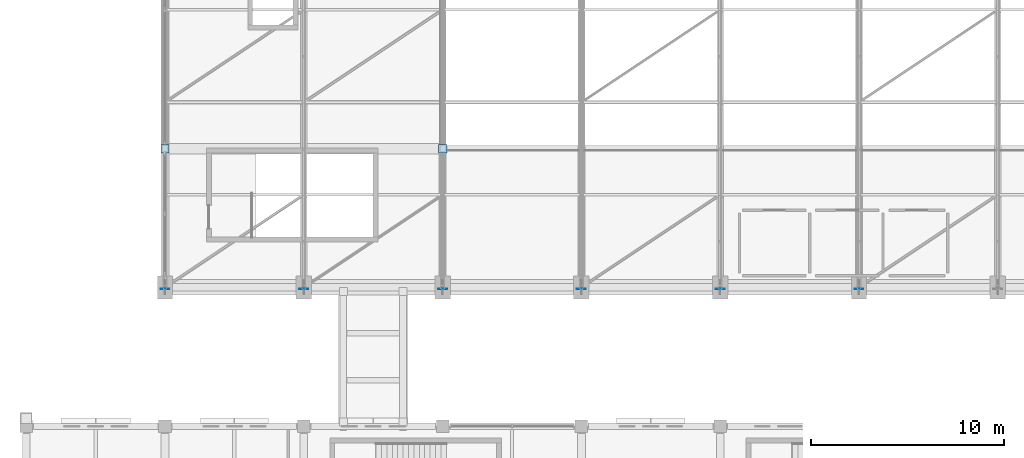
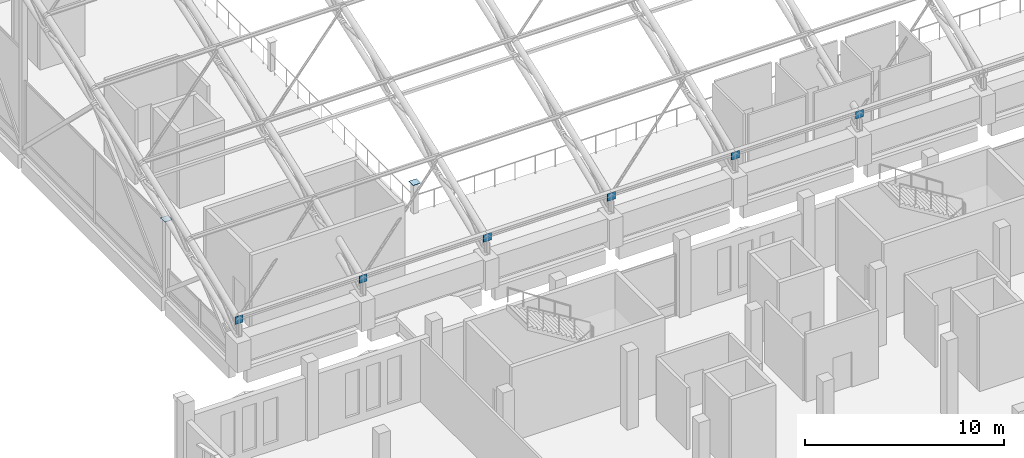
# One storey, part 75 of 116: 8 plates.
"""IFC4 building model written with IfcOpenShell, lengths in metres."""

from ifc_helpers import new_model, si_unit, direction, frame, origin, origin_2d, place, context, subcontext, project, spatial, rectangle, extrude, material, layer, layer_set, type_object, element, save


model = new_model("IFC4")

# Units and contexts
model_context = context("Model", 3, precision=1e-05, world=origin(), true_north=direction((0.0, 1.0)))
body_context = subcontext(model_context, "Body", "Model", "MODEL_VIEW")
ifc_project = project(units=[si_unit("LENGTHUNIT", "METRE"), si_unit("AREAUNIT", "SQUARE_METRE"), si_unit("VOLUMEUNIT", "CUBIC_METRE"), si_unit("PLANEANGLEUNIT", "RADIAN"), si_unit("MASSUNIT", "GRAM", prefix="KILO")], contexts=[model_context])

# Site, building, storey
site_placement = place(None, origin())
site = spatial("IfcSite", under=ifc_project, at=site_placement, CompositionType="ELEMENT")
building_placement = place(site_placement, origin())
building = spatial("IfcBuilding", under=site, at=building_placement, Name="Cendralis Lancet Convention Centre", CompositionType="ELEMENT")
storey_placement = place(building_placement, frame((0.0, 0.0, 15.0)))
storey = spatial("IfcBuildingStorey", under=building, at=storey_placement, Name="L03", CompositionType="ELEMENT", Elevation=15.0)

# Plates
ifc_material = material(Name="Steel S355", Category="steel")
ifc_layer_1 = layer(ifc_material, 0.02001953125, Name="Steel S355")
ifc_layer_set_1 = layer_set([ifc_layer_1], Name="Steel S355")
plate_type_1 = type_object("IfcPlateType", Name="STR-PL-CC20", PredefinedType="USERDEFINED", material=ifc_layer_set_1)
plate_1_placement = place(storey_placement, frame((139.199951171875, 50.39990234375, 4.596923828125), z_axis=(0.0, 0.0, 1.0), x_axis=(1.0, 0.0, 0.0)))
element("IfcPlate", 1, at=plate_1_placement, inside=storey, type_object=plate_type_1, Name="Hollow Column Top Cap Plate L03 #011", ObjectType="GUSSET PLATE", PredefinedType="USERDEFINED", context=body_context, shape_type="SweptSolid", body=[
    extrude(rectangle(XDim=0.43994140625, YDim=0.43994140625, at=origin_2d()), origin(), (0.0, 0.0, 1.0), 0.02001953125),
])
ifc_layer_2 = layer(ifc_material, 0.02001953125, Name="Steel S355")
ifc_layer_set_2 = layer_set([ifc_layer_2], Name="Steel S355")
plate_type_2 = type_object("IfcPlateType", Name="STR-PL-CC20-INT", PredefinedType="USERDEFINED", material=ifc_layer_set_2)
plate_2_placement = place(storey_placement, frame((153.60009765625, 50.39990234375, 1.800048828125), z_axis=(0.0, 0.0, 1.0), x_axis=(1.0, 0.0, 0.0)))
element("IfcPlate", 2, at=plate_2_placement, inside=storey, type_object=plate_type_2, Name="Hollow Column Top Cap Plate L03 #015", ObjectType="GUSSET PLATE", PredefinedType="USERDEFINED", context=body_context, shape_type="SweptSolid", body=[
    extrude(rectangle(XDim=0.43994140625, YDim=0.43994140625, at=origin_2d()), origin(), (0.0, 0.0, 1.0), 0.02001953125),
])
ifc_layer_3 = layer(ifc_material, 0.02001953125, Name="Steel S355")
ifc_layer_set_3 = layer_set([ifc_layer_3], Name="Steel S355")
plate_type_3 = type_object("IfcPlateType", Name="STR-PL-EC20", PredefinedType="USERDEFINED", material=ifc_layer_set_3)
for number, where, z_axis, x_axis, name in (
    (3, (139.199951171875, 43.110107421875, 2.6201171875), (0.0, 0.0, 1.0), (1.0, 0.0, 0.0), "Truss End Cap Plate EC-20 AT-V2-01-CAPS"),
    (4, (146.39990234375, 43.110107421875, 2.6201171875), (0.0, 0.0, 1.0), (1.0, 0.0, 0.0), "Truss End Cap Plate EC-20 AT-V2-02-CAPS"),
    (5, (153.60009765625, 43.110107421875, 2.6201171875), (0.0, 0.0, 1.0), (1.0, 0.0, 0.0), "Truss End Cap Plate EC-20 AT-V2-03-CAPS"),
    (6, (160.800048828125, 43.110107421875, 2.6201171875), (0.0, 0.0, 1.0), (1.0, 0.0, 0.0), "Truss End Cap Plate EC-20 AT-V2-04-CAPS"),
    (7, (168.0, 43.110107421875, 2.6201171875), (0.0, 0.0, 1.0), (1.0, 0.0, 0.0), "Truss End Cap Plate EC-20 AT-V2-05-CAPS"),
    (8, (175.199951171875, 43.110107421875, 2.6201171875), (0.0, 0.0, 1.0), (1.0, 0.0, 0.0), "Truss End Cap Plate EC-20 AT-V2-06-CAPS"),
):
    element("IfcPlate", number, at=place(storey_placement, frame(where, z_axis=z_axis, x_axis=x_axis)), inside=storey, type_object=plate_type_3, Name=name, ObjectType="GUSSET PLATE", PredefinedType="USERDEFINED", context=body_context, shape_type="SweptSolid", body=[
        extrude(rectangle(XDim=0.4599609375, YDim=0.02001953125, at=origin_2d()), origin(), (0.0, 0.0, 1.0), 0.4599609375),
    ])

save(model, "model.ifc")
